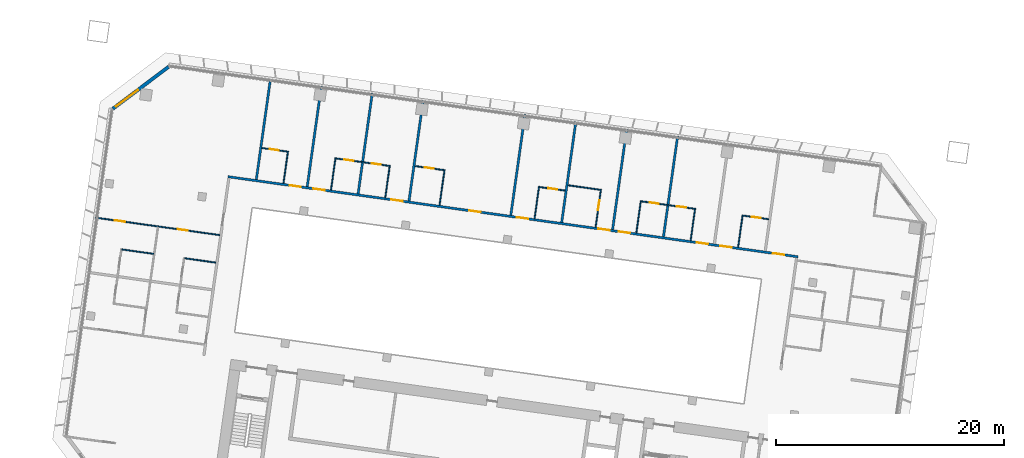
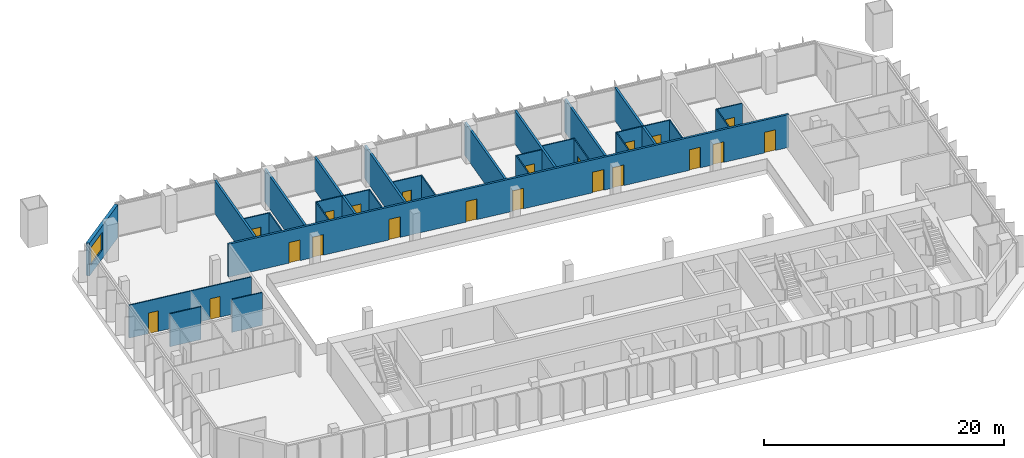
# One storey, part 16 of 24: 29 walls, 21 doors, 1 window, 22 openings.
"""IFC4 building model written with IfcOpenShell, lengths in metres."""

from ifc_helpers import new_model, si_unit, direction, frame, frame_2d, origin, place, context, subcontext, project, spatial, rectangle, extrude, material, layer, layer_set, type_object, element, fill, save


model = new_model("IFC4")

# Units and contexts
model_context = context("Model", 3, precision=1e-05, world=origin(), true_north=direction((0.0, 1.0)))
body_context = subcontext(model_context, "Body", "Model", "MODEL_VIEW")
ifc_project = project(units=[si_unit("LENGTHUNIT", "METRE"), si_unit("AREAUNIT", "SQUARE_METRE"), si_unit("VOLUMEUNIT", "CUBIC_METRE"), si_unit("PLANEANGLEUNIT", "RADIAN"), si_unit("MASSUNIT", "GRAM", prefix="KILO")], contexts=[model_context])

# Site, building, storey
site_placement = place(None, origin())
site = spatial("IfcSite", under=ifc_project, at=site_placement, CompositionType="ELEMENT")
building_placement = place(site_placement, origin())
building = spatial("IfcBuilding", under=site, at=building_placement, Name="Mirante Cascada Hotel Towers", CompositionType="ELEMENT")
storey_placement = place(building_placement, frame((0.0, 0.0, 43.3)))
storey = spatial("IfcBuildingStorey", under=building, at=storey_placement, Name="L07", CompositionType="ELEMENT", Elevation=43.3)

# Wall, openings, doors
ifc_material_1 = material(Name="Fire-rated plasterboard on metal studs")
ifc_layer_1 = layer(ifc_material_1, 0.2)
ifc_layer_set_1 = layer_set([ifc_layer_1], Name="Compartment wall 200 EI 120")
wall_type_1 = type_object("IfcWallType", Name="Compartment wall 200 EI 120", PredefinedType="PARTITIONING", material=ifc_layer_set_1)
wall_1_placement = place(storey_placement, frame((-39.1051, 9.3779, 0.0), z_axis=(0.0, 0.0, 1.0), x_axis=(-0.9902681, 0.1391727, 0.0)))
wall_1 = element("IfcWall", 1, at=wall_1_placement, inside=storey, type_object=wall_type_1, Name="Wall 1-L07-18", PredefinedType="PARTITIONING", context=body_context, shape_type="SweptSolid", body=[
    extrude(rectangle(XDim=50.4, YDim=0.2, at=frame_2d((25.2, 0.0))), origin(), (0.0, 0.0, 1.0), 3.35),
])
opening_1_placement = place(wall_1_placement, frame((1.2, 0.0, 0.0)))
opening_1 = element("IfcOpeningElement", 2, at=opening_1_placement, cuts=wall_1, Name="Opening D1-L07-09", PredefinedType="OPENING", context=body_context, shape_type="SweptSolid", body=[
    extrude(rectangle(XDim=1.0, YDim=2.1, at=frame_2d((0.5, 1.05))), frame((0.0, 0.1, 0.0), z_axis=(0.0, -1.0, 0.0), x_axis=(1.0, 0.0, 0.0)), (0.0, 0.0, 1.0), 0.2),
])
opening_2_placement = place(wall_1_placement, frame((5.85, 0.0, 0.0)))
opening_2 = element("IfcOpeningElement", 3, at=opening_2_placement, cuts=wall_1, Name="Opening D1-L07-10", PredefinedType="OPENING", context=body_context, shape_type="SweptSolid", body=[
    extrude(rectangle(XDim=1.0, YDim=2.1, at=frame_2d((0.5, 1.05))), frame((0.0, 0.1, 0.0), z_axis=(0.0, -1.0, 0.0), x_axis=(1.0, 0.0, 0.0)), (0.0, 0.0, 1.0), 0.2),
])
opening_3_placement = place(wall_1_placement, frame((7.95, 0.0, 0.0)))
opening_3 = element("IfcOpeningElement", 4, at=opening_3_placement, cuts=wall_1, Name="Opening D1-L07-11", PredefinedType="OPENING", context=body_context, shape_type="SweptSolid", body=[
    extrude(rectangle(XDim=1.0, YDim=2.1, at=frame_2d((0.5, 1.05))), frame((0.0, 0.1, 0.0), z_axis=(0.0, -1.0, 0.0), x_axis=(1.0, 0.0, 0.0)), (0.0, 0.0, 1.0), 0.2),
])
opening_4_placement = place(wall_1_placement, frame((14.85, 0.0, 0.0)))
opening_4 = element("IfcOpeningElement", 5, at=opening_4_placement, cuts=wall_1, Name="Opening D1-L07-12", PredefinedType="OPENING", context=body_context, shape_type="SweptSolid", body=[
    extrude(rectangle(XDim=1.0, YDim=2.1, at=frame_2d((0.5, 1.05))), frame((0.0, 0.1, 0.0), z_axis=(0.0, -1.0, 0.0), x_axis=(1.0, 0.0, 0.0)), (0.0, 0.0, 1.0), 0.2),
])
opening_5_placement = place(wall_1_placement, frame((16.65, 0.0, 0.0)))
opening_5 = element("IfcOpeningElement", 6, at=opening_5_placement, cuts=wall_1, Name="Opening D1-L07-13", PredefinedType="OPENING", context=body_context, shape_type="SweptSolid", body=[
    extrude(rectangle(XDim=1.0, YDim=2.1, at=frame_2d((0.5, 1.05))), frame((0.0, 0.1, 0.0), z_axis=(0.0, -1.0, 0.0), x_axis=(1.0, 0.0, 0.0)), (0.0, 0.0, 1.0), 0.2),
])
opening_6_placement = place(wall_1_placement, frame((23.85, 0.0, 0.0)))
opening_6 = element("IfcOpeningElement", 7, at=opening_6_placement, cuts=wall_1, Name="Opening D1-L07-14", PredefinedType="OPENING", context=body_context, shape_type="SweptSolid", body=[
    extrude(rectangle(XDim=1.0, YDim=2.1, at=frame_2d((0.5, 1.05))), frame((0.0, 0.1, 0.0), z_axis=(0.0, -1.0, 0.0), x_axis=(1.0, 0.0, 0.0)), (0.0, 0.0, 1.0), 0.2),
])
opening_7_placement = place(wall_1_placement, frame((28.05, 0.0, 0.0)))
opening_7 = element("IfcOpeningElement", 8, at=opening_7_placement, cuts=wall_1, Name="Opening D1-L07-15", PredefinedType="OPENING", context=body_context, shape_type="SweptSolid", body=[
    extrude(rectangle(XDim=1.0, YDim=2.1, at=frame_2d((0.5, 1.05))), frame((0.0, 0.1, 0.0), z_axis=(0.0, -1.0, 0.0), x_axis=(1.0, 0.0, 0.0)), (0.0, 0.0, 1.0), 0.2),
])
opening_8_placement = place(wall_1_placement, frame((34.95, 0.0, 0.0)))
opening_8 = element("IfcOpeningElement", 9, at=opening_8_placement, cuts=wall_1, Name="Opening D1-L07-16", PredefinedType="OPENING", context=body_context, shape_type="SweptSolid", body=[
    extrude(rectangle(XDim=1.0, YDim=2.1, at=frame_2d((0.5, 1.05))), frame((0.0, 0.1, 0.0), z_axis=(0.0, -1.0, 0.0), x_axis=(1.0, 0.0, 0.0)), (0.0, 0.0, 1.0), 0.2),
])
opening_9_placement = place(wall_1_placement, frame((41.85, 0.0, 0.0)))
opening_9 = element("IfcOpeningElement", 10, at=opening_9_placement, cuts=wall_1, Name="Opening D1-L07-17", PredefinedType="OPENING", context=body_context, shape_type="SweptSolid", body=[
    extrude(rectangle(XDim=1.0, YDim=2.1, at=frame_2d((0.5, 1.05))), frame((0.0, 0.1, 0.0), z_axis=(0.0, -1.0, 0.0), x_axis=(1.0, 0.0, 0.0)), (0.0, 0.0, 1.0), 0.2),
])
opening_10_placement = place(wall_1_placement, frame((43.95, 0.0, 0.0)))
opening_10 = element("IfcOpeningElement", 11, at=opening_10_placement, cuts=wall_1, Name="Opening D1-L07-18", PredefinedType="OPENING", context=body_context, shape_type="SweptSolid", body=[
    extrude(rectangle(XDim=1.0, YDim=2.1, at=frame_2d((0.5, 1.05))), frame((0.0, 0.1, 0.0), z_axis=(0.0, -1.0, 0.0), x_axis=(1.0, 0.0, 0.0)), (0.0, 0.0, 1.0), 0.2),
])
ifc_material_2 = material(Name="Fire-rated timber door leaf", Category="wood")
door_type_1 = type_object("IfcDoorType", Name="Entrance door DG1 1000x2100 EI 60", OperationType="SINGLE_SWING_LEFT", PredefinedType="DOOR", material=ifc_material_2)
door_1_placement = place(opening_1_placement, frame((1.0, 0.0, 0.0), z_axis=(0.0, 0.0, 1.0), x_axis=(-1.0, 0.0, 0.0)))
door_1 = element("IfcDoor", 12, at=door_1_placement, inside=storey, type_object=door_type_1, Name="Door D1-L07-09", OperationType="SINGLE_SWING_RIGHT", OverallHeight=2.1, OverallWidth=1.0, PredefinedType="DOOR", context=body_context, shape_type="SweptSolid", body=[
    extrude(rectangle(XDim=1.0, YDim=2.1, at=frame_2d((0.5, 1.05))), frame((0.0, 0.025, 0.0), z_axis=(0.0, -1.0, 0.0), x_axis=(1.0, 0.0, 0.0)), (0.0, 0.0, 1.0), 0.05),
])
fill(opening_1, door_1)
door_2_placement = place(opening_2_placement, frame((1.0, 0.0, 0.0), z_axis=(0.0, 0.0, 1.0), x_axis=(-1.0, 0.0, 0.0)))
door_2 = element("IfcDoor", 13, at=door_2_placement, inside=storey, type_object=door_type_1, Name="Door D1-L07-10", OperationType="SINGLE_SWING_RIGHT", OverallHeight=2.1, OverallWidth=1.0, PredefinedType="DOOR", context=body_context, shape_type="SweptSolid", body=[
    extrude(rectangle(XDim=1.0, YDim=2.1, at=frame_2d((0.5, 1.05))), frame((0.0, 0.025, 0.0), z_axis=(0.0, -1.0, 0.0), x_axis=(1.0, 0.0, 0.0)), (0.0, 0.0, 1.0), 0.05),
])
fill(opening_2, door_2)
door_3_placement = place(opening_3_placement, frame((1.0, 0.0, 0.0), z_axis=(0.0, 0.0, 1.0), x_axis=(-1.0, 0.0, 0.0)))
door_3 = element("IfcDoor", 14, at=door_3_placement, inside=storey, type_object=door_type_1, Name="Door D1-L07-11", OperationType="SINGLE_SWING_RIGHT", OverallHeight=2.1, OverallWidth=1.0, PredefinedType="DOOR", context=body_context, shape_type="SweptSolid", body=[
    extrude(rectangle(XDim=1.0, YDim=2.1, at=frame_2d((0.5, 1.05))), frame((0.0, 0.025, 0.0), z_axis=(0.0, -1.0, 0.0), x_axis=(1.0, 0.0, 0.0)), (0.0, 0.0, 1.0), 0.05),
])
fill(opening_3, door_3)
door_4_placement = place(opening_4_placement, frame((1.0, 0.0, 0.0), z_axis=(0.0, 0.0, 1.0), x_axis=(-1.0, 0.0, 0.0)))
door_4 = element("IfcDoor", 15, at=door_4_placement, inside=storey, type_object=door_type_1, Name="Door D1-L07-12", OperationType="SINGLE_SWING_RIGHT", OverallHeight=2.1, OverallWidth=1.0, PredefinedType="DOOR", context=body_context, shape_type="SweptSolid", body=[
    extrude(rectangle(XDim=1.0, YDim=2.1, at=frame_2d((0.5, 1.05))), frame((0.0, 0.025, 0.0), z_axis=(0.0, -1.0, 0.0), x_axis=(1.0, 0.0, 0.0)), (0.0, 0.0, 1.0), 0.05),
])
fill(opening_4, door_4)
door_5_placement = place(opening_5_placement, frame((1.0, 0.0, 0.0), z_axis=(0.0, 0.0, 1.0), x_axis=(-1.0, 0.0, 0.0)))
door_5 = element("IfcDoor", 16, at=door_5_placement, inside=storey, type_object=door_type_1, Name="Door D1-L07-13", OperationType="SINGLE_SWING_RIGHT", OverallHeight=2.1, OverallWidth=1.0, PredefinedType="DOOR", context=body_context, shape_type="SweptSolid", body=[
    extrude(rectangle(XDim=1.0, YDim=2.1, at=frame_2d((0.5, 1.05))), frame((0.0, 0.025, 0.0), z_axis=(0.0, -1.0, 0.0), x_axis=(1.0, 0.0, 0.0)), (0.0, 0.0, 1.0), 0.05),
])
fill(opening_5, door_5)
door_6_placement = place(opening_6_placement, frame((1.0, 0.0, 0.0), z_axis=(0.0, 0.0, 1.0), x_axis=(-1.0, 0.0, 0.0)))
door_6 = element("IfcDoor", 17, at=door_6_placement, inside=storey, type_object=door_type_1, Name="Door D1-L07-14", OperationType="SINGLE_SWING_RIGHT", OverallHeight=2.1, OverallWidth=1.0, PredefinedType="DOOR", context=body_context, shape_type="SweptSolid", body=[
    extrude(rectangle(XDim=1.0, YDim=2.1, at=frame_2d((0.5, 1.05))), frame((0.0, 0.025, 0.0), z_axis=(0.0, -1.0, 0.0), x_axis=(1.0, 0.0, 0.0)), (0.0, 0.0, 1.0), 0.05),
])
fill(opening_6, door_6)
door_7_placement = place(opening_7_placement, frame((1.0, 0.0, 0.0), z_axis=(0.0, 0.0, 1.0), x_axis=(-1.0, 0.0, 0.0)))
door_7 = element("IfcDoor", 18, at=door_7_placement, inside=storey, type_object=door_type_1, Name="Door D1-L07-15", OperationType="SINGLE_SWING_RIGHT", OverallHeight=2.1, OverallWidth=1.0, PredefinedType="DOOR", context=body_context, shape_type="SweptSolid", body=[
    extrude(rectangle(XDim=1.0, YDim=2.1, at=frame_2d((0.5, 1.05))), frame((0.0, 0.025, 0.0), z_axis=(0.0, -1.0, 0.0), x_axis=(1.0, 0.0, 0.0)), (0.0, 0.0, 1.0), 0.05),
])
fill(opening_7, door_7)
door_8_placement = place(opening_8_placement, frame((1.0, 0.0, 0.0), z_axis=(0.0, 0.0, 1.0), x_axis=(-1.0, 0.0, 0.0)))
door_8 = element("IfcDoor", 19, at=door_8_placement, inside=storey, type_object=door_type_1, Name="Door D1-L07-16", OperationType="SINGLE_SWING_RIGHT", OverallHeight=2.1, OverallWidth=1.0, PredefinedType="DOOR", context=body_context, shape_type="SweptSolid", body=[
    extrude(rectangle(XDim=1.0, YDim=2.1, at=frame_2d((0.5, 1.05))), frame((0.0, 0.025, 0.0), z_axis=(0.0, -1.0, 0.0), x_axis=(1.0, 0.0, 0.0)), (0.0, 0.0, 1.0), 0.05),
])
fill(opening_8, door_8)
door_9_placement = place(opening_9_placement, frame((1.0, 0.0, 0.0), z_axis=(0.0, 0.0, 1.0), x_axis=(-1.0, 0.0, 0.0)))
door_9 = element("IfcDoor", 20, at=door_9_placement, inside=storey, type_object=door_type_1, Name="Door D1-L07-17", OperationType="SINGLE_SWING_RIGHT", OverallHeight=2.1, OverallWidth=1.0, PredefinedType="DOOR", context=body_context, shape_type="SweptSolid", body=[
    extrude(rectangle(XDim=1.0, YDim=2.1, at=frame_2d((0.5, 1.05))), frame((0.0, 0.025, 0.0), z_axis=(0.0, -1.0, 0.0), x_axis=(1.0, 0.0, 0.0)), (0.0, 0.0, 1.0), 0.05),
])
fill(opening_9, door_9)
door_10_placement = place(opening_10_placement, frame((1.0, 0.0, 0.0), z_axis=(0.0, 0.0, 1.0), x_axis=(-1.0, 0.0, 0.0)))
door_10 = element("IfcDoor", 21, at=door_10_placement, inside=storey, type_object=door_type_1, Name="Door D1-L07-18", OperationType="SINGLE_SWING_RIGHT", OverallHeight=2.1, OverallWidth=1.0, PredefinedType="DOOR", context=body_context, shape_type="SweptSolid", body=[
    extrude(rectangle(XDim=1.0, YDim=2.1, at=frame_2d((0.5, 1.05))), frame((0.0, 0.025, 0.0), z_axis=(0.0, -1.0, 0.0), x_axis=(1.0, 0.0, 0.0)), (0.0, 0.0, 1.0), 0.05),
])
fill(opening_10, door_10)

# Walls
for number, where, z_axis, x_axis, name in (
    (22, (-49.6367, 19.9465, 0.0), (0.0, 0.0, 1.0), (-0.1391794, -0.9902672, 0.0), "Wall 1-L07-39"),
    (23, (-54.0929, 20.5728, 0.0), (0.0, 0.0, 1.0), (-0.1391794, -0.9902672, 0.0), "Wall 1-L07-41"),
):
    element("IfcWall", number, at=place(storey_placement, frame(where, z_axis=z_axis, x_axis=x_axis)), inside=storey, type_object=wall_type_1, Name=name, PredefinedType="PARTITIONING", context=body_context, shape_type="SweptSolid", body=[
        extrude(rectangle(XDim=8.9, YDim=0.2, at=frame_2d((4.45, 0.0))), origin(), (0.0, 0.0, 1.0), 3.35),
    ])
wall_2_placement = place(storey_placement, frame((-58.5492, 21.199, 0.0), z_axis=(0.0, 0.0, 1.0), x_axis=(-0.13917, -0.9902685, 0.0)))
element("IfcWall", 24, at=wall_2_placement, inside=storey, type_object=wall_type_1, Name="Wall 1-L07-43", PredefinedType="PARTITIONING", context=body_context, shape_type="SweptSolid", body=[
    extrude(rectangle(XDim=8.8999, YDim=0.2, at=frame_2d((4.45, 0.0))), origin(), (0.0, 0.0, 1.0), 3.35),
])
for number, where, z_axis, x_axis, name in (
    (25, (-63.0054, 21.8253, 0.0), (0.0, 0.0, 1.0), (-0.1391684, -0.9902687, 0.0), "Wall 1-L07-45"),
    (26, (-71.9178, 23.0779, 0.0), (0.0, 0.0, 1.0), (-0.1391684, -0.9902687, 0.0), "Wall 1-L07-47"),
    (27, (-76.374, 23.7042, 0.0), (0.0, 0.0, 1.0), (-0.1391684, -0.9902687, 0.0), "Wall 1-L07-49"),
):
    element("IfcWall", number, at=place(storey_placement, frame(where, z_axis=z_axis, x_axis=x_axis)), inside=storey, type_object=wall_type_1, Name=name, PredefinedType="PARTITIONING", context=body_context, shape_type="SweptSolid", body=[
        extrude(rectangle(XDim=8.9, YDim=0.2, at=frame_2d((4.45, 0.0))), origin(), (0.0, 0.0, 1.0), 3.35),
    ])
wall_3_placement = place(storey_placement, frame((-80.8302, 24.3304, 0.0), z_axis=(0.0, 0.0, 1.0), x_axis=(-0.13917, -0.9902685, 0.0)))
element("IfcWall", 28, at=wall_3_placement, inside=storey, type_object=wall_type_1, Name="Wall 1-L07-51", PredefinedType="PARTITIONING", context=body_context, shape_type="SweptSolid", body=[
    extrude(rectangle(XDim=8.8999, YDim=0.2, at=frame_2d((4.45, 0.0))), origin(), (0.0, 0.0, 1.0), 3.35),
])
wall_4_placement = place(storey_placement, frame((-85.2864, 24.9567, 0.0), z_axis=(0.0, 0.0, 1.0), x_axis=(-0.1391684, -0.9902687, 0.0)))
element("IfcWall", 29, at=wall_4_placement, inside=storey, type_object=wall_type_1, Name="Wall 1-L07-53", PredefinedType="PARTITIONING", context=body_context, shape_type="SweptSolid", body=[
    extrude(rectangle(XDim=8.9, YDim=0.2, at=frame_2d((4.45, 0.0))), origin(), (0.0, 0.0, 1.0), 3.35),
])
ifc_material_3 = material(Name="Plasterboard on metal studs")
ifc_layer_2 = layer(ifc_material_3, 0.1)
ifc_layer_set_2 = layer_set([ifc_layer_2], Name="Partition 100")
wall_type_2 = type_object("IfcWallType", Name="Partition 100", PredefinedType="PARTITIONING", material=ifc_layer_set_2)
wall_5_placement = place(storey_placement, frame((-92.7956, 9.2489, 0.0), z_axis=(0.0, 0.0, 1.0), x_axis=(0.9902698, -0.1391607, 0.0)))
element("IfcWall", 30, at=wall_5_placement, inside=storey, type_object=wall_type_2, Name="Wall 1-L07-11", PredefinedType="PARTITIONING", context=body_context, shape_type="SweptSolid", body=[
    extrude(rectangle(XDim=2.7501, YDim=0.1, at=frame_2d((1.3751, 0.0))), origin(), (0.0, 0.0, 1.0), 3.35),
])
wall_6_placement = place(storey_placement, frame((-95.5188, 9.6317, 0.0), z_axis=(0.0, 0.0, 1.0), x_axis=(-0.9902726, 0.139141, 0.0)))
element("IfcWall", 31, at=wall_6_placement, inside=storey, type_object=wall_type_2, Name="Wall 1-L07-12", PredefinedType="PARTITIONING", context=body_context, shape_type="SweptSolid", body=[
    extrude(rectangle(XDim=2.8, YDim=0.1, at=frame_2d((1.4, 0.0))), origin(), (0.0, 0.0, 1.0), 3.35),
])

# Wall, openings, doors
wall_7_placement = place(storey_placement, frame((-89.7337, 11.2758, 0.0), z_axis=(0.0, 0.0, 1.0), x_axis=(-0.990268, 0.1391733, 0.0)))
wall_7 = element("IfcWall", 32, at=wall_7_placement, inside=storey, type_object=wall_type_2, Name="Wall 1-L07-14", PredefinedType="PARTITIONING", context=body_context, shape_type="SweptSolid", body=[
    extrude(rectangle(XDim=11.0, YDim=0.1, at=frame_2d((5.5, 0.0))), origin(), (0.0, 0.0, 1.0), 3.35),
])
opening_11_placement = place(wall_7_placement, frame((2.825, 0.0, 0.0)))
opening_11 = element("IfcOpeningElement", 33, at=opening_11_placement, cuts=wall_7, Name="Opening D1-L07-05", PredefinedType="OPENING", context=body_context, shape_type="SweptSolid", body=[
    extrude(rectangle(XDim=0.9, YDim=2.1, at=frame_2d((0.45, 1.05))), frame((0.0, 0.05, 0.0), z_axis=(0.0, -1.0, 0.0), x_axis=(1.0, 0.0, 0.0)), (0.0, 0.0, 1.0), 0.1),
])
opening_12_placement = place(wall_7_placement, frame((8.375, 0.0, 0.0)))
opening_12 = element("IfcOpeningElement", 34, at=opening_12_placement, cuts=wall_7, Name="Opening D1-L07-06", PredefinedType="OPENING", context=body_context, shape_type="SweptSolid", body=[
    extrude(rectangle(XDim=0.9, YDim=2.1, at=frame_2d((0.45, 1.05))), frame((0.0, 0.05, 0.0), z_axis=(0.0, -1.0, 0.0), x_axis=(1.0, 0.0, 0.0)), (0.0, 0.0, 1.0), 0.1),
])
ifc_material_4 = material(Name="Timber door leaf", Category="wood")
door_type_2 = type_object("IfcDoorType", Name="Room door DG3 900x2100", OperationType="SINGLE_SWING_LEFT", PredefinedType="DOOR", material=ifc_material_4)
door_11_placement = place(opening_11_placement, frame((0.9, 0.0, 0.0), z_axis=(0.0, 0.0, 1.0), x_axis=(-1.0, 0.0, 0.0)))
door_11 = element("IfcDoor", 35, at=door_11_placement, inside=storey, type_object=door_type_2, Name="Door D1-L07-05", OperationType="SINGLE_SWING_RIGHT", OverallHeight=2.1, OverallWidth=0.9, PredefinedType="DOOR", context=body_context, shape_type="SweptSolid", body=[
    extrude(rectangle(XDim=0.9, YDim=2.1, at=frame_2d((0.45, 1.05))), frame((0.0, 0.025, 0.0), z_axis=(0.0, -1.0, 0.0), x_axis=(1.0, 0.0, 0.0)), (0.0, 0.0, 1.0), 0.05),
])
fill(opening_11, door_11)
door_12_placement = place(opening_12_placement, frame((0.9, 0.0, 0.0), z_axis=(0.0, 0.0, 1.0), x_axis=(-1.0, 0.0, 0.0)))
door_12 = element("IfcDoor", 36, at=door_12_placement, inside=storey, type_object=door_type_2, Name="Door D1-L07-06", OperationType="SINGLE_SWING_RIGHT", OverallHeight=2.1, OverallWidth=0.9, PredefinedType="DOOR", context=body_context, shape_type="SweptSolid", body=[
    extrude(rectangle(XDim=0.9, YDim=2.1, at=frame_2d((0.45, 1.05))), frame((0.0, 0.025, 0.0), z_axis=(0.0, -1.0, 0.0), x_axis=(1.0, 0.0, 0.0)), (0.0, 0.0, 1.0), 0.05),
])
fill(opening_12, door_12)

# Wall, opening, door
wall_8_placement = place(storey_placement, frame((-43.9004, 12.9804, 0.0), z_axis=(0.0, 0.0, 1.0), x_axis=(0.9902643, -0.1391997, 0.0)))
wall_8 = element("IfcWall", 37, at=wall_8_placement, inside=storey, type_object=wall_type_2, Name="Wall 1-L07-19", PredefinedType="PARTITIONING", context=body_context, shape_type="SweptSolid", body=[
    extrude(rectangle(XDim=2.25, YDim=0.1, at=frame_2d((1.125, 0.0))), origin(), (0.0, 0.0, 1.0), 3.35),
])
opening_13_placement = place(wall_8_placement, frame((0.75, 0.0, 0.0)))
opening_13 = element("IfcOpeningElement", 38, at=opening_13_placement, cuts=wall_8, Name="Opening D1-L07-19", PredefinedType="OPENING", context=body_context, shape_type="SweptSolid", body=[
    extrude(rectangle(XDim=0.8, YDim=2.1, at=frame_2d((0.4, 1.05))), frame((0.0, 0.05, 0.0), z_axis=(0.0, -1.0, 0.0), x_axis=(1.0, 0.0, 0.0)), (0.0, 0.0, 1.0), 0.1),
])
ifc_material_5 = material(Name="Timber door leaf", Category="wood")
door_type_3 = type_object("IfcDoorType", Name="Bathroom door DG4 800x2100", OperationType="SINGLE_SWING_LEFT", PredefinedType="DOOR", material=ifc_material_5)
door_13_placement = place(opening_13_placement, origin())
door_13 = element("IfcDoor", 39, at=door_13_placement, inside=storey, type_object=door_type_3, Name="Door D1-L07-19", OperationType="SINGLE_SWING_LEFT", OverallHeight=2.1, OverallWidth=0.8, PredefinedType="DOOR", context=body_context, shape_type="SweptSolid", body=[
    extrude(rectangle(XDim=0.8, YDim=2.1, at=frame_2d((0.4, 1.05))), frame((0.0, 0.025, 0.0), z_axis=(0.0, -1.0, 0.0), x_axis=(1.0, 0.0, 0.0)), (0.0, 0.0, 1.0), 0.05),
])
fill(opening_13, door_13)

# Wall, openings, doors
wall_9_placement = place(storey_placement, frame((-48.0595, 13.5649, 0.0), z_axis=(0.0, 0.0, 1.0), x_axis=(-0.9902698, 0.139161, 0.0)))
wall_9 = element("IfcWall", 40, at=wall_9_placement, inside=storey, type_object=wall_type_2, Name="Wall 1-L07-20", PredefinedType="PARTITIONING", context=body_context, shape_type="SweptSolid", body=[
    extrude(rectangle(XDim=4.9001, YDim=0.1, at=frame_2d((2.45, 0.0))), origin(), (0.0, 0.0, 1.0), 3.35),
])
opening_14_placement = place(wall_9_placement, frame((0.85, 0.0, 0.0)))
opening_14 = element("IfcOpeningElement", 41, at=opening_14_placement, cuts=wall_9, Name="Opening D1-L07-20", PredefinedType="OPENING", context=body_context, shape_type="SweptSolid", body=[
    extrude(rectangle(XDim=0.8, YDim=2.1, at=frame_2d((0.4, 1.05))), frame((0.0, 0.05, 0.0), z_axis=(0.0, -1.0, 0.0), x_axis=(1.0, 0.0, 0.0)), (0.0, 0.0, 1.0), 0.1),
])
opening_15_placement = place(wall_9_placement, frame((3.25, 0.0, 0.0)))
opening_15 = element("IfcOpeningElement", 42, at=opening_15_placement, cuts=wall_9, Name="Opening D1-L07-21", PredefinedType="OPENING", context=body_context, shape_type="SweptSolid", body=[
    extrude(rectangle(XDim=0.8, YDim=2.1, at=frame_2d((0.4, 1.05))), frame((0.0, 0.05, 0.0), z_axis=(0.0, -1.0, 0.0), x_axis=(1.0, 0.0, 0.0)), (0.0, 0.0, 1.0), 0.1),
])
door_14_placement = place(opening_14_placement, frame((0.8, 0.0, 0.0), z_axis=(0.0, 0.0, 1.0), x_axis=(-1.0, 0.0, 0.0)))
door_14 = element("IfcDoor", 43, at=door_14_placement, inside=storey, type_object=door_type_3, Name="Door D1-L07-20", OperationType="SINGLE_SWING_RIGHT", OverallHeight=2.1, OverallWidth=0.8, PredefinedType="DOOR", context=body_context, shape_type="SweptSolid", body=[
    extrude(rectangle(XDim=0.8, YDim=2.1, at=frame_2d((0.4, 1.05))), frame((0.0, 0.025, 0.0), z_axis=(0.0, -1.0, 0.0), x_axis=(1.0, 0.0, 0.0)), (0.0, 0.0, 1.0), 0.05),
])
fill(opening_14, door_14)
door_15_placement = place(opening_15_placement, frame((0.8, 0.0, 0.0), z_axis=(0.0, 0.0, 1.0), x_axis=(-1.0, 0.0, 0.0)))
door_15 = element("IfcDoor", 44, at=door_15_placement, inside=storey, type_object=door_type_3, Name="Door D1-L07-21", OperationType="SINGLE_SWING_RIGHT", OverallHeight=2.1, OverallWidth=0.8, PredefinedType="DOOR", context=body_context, shape_type="SweptSolid", body=[
    extrude(rectangle(XDim=0.8, YDim=2.1, at=frame_2d((0.4, 1.05))), frame((0.0, 0.025, 0.0), z_axis=(0.0, -1.0, 0.0), x_axis=(1.0, 0.0, 0.0)), (0.0, 0.0, 1.0), 0.05),
])
fill(opening_15, door_15)

# Wall, opening, door
wall_10_placement = place(storey_placement, frame((-61.7252, 15.4855, 0.0), z_axis=(0.0, 0.0, 1.0), x_axis=(0.9902643, -0.1391997, 0.0)))
wall_10 = element("IfcWall", 45, at=wall_10_placement, inside=storey, type_object=wall_type_2, Name="Wall 1-L07-21", PredefinedType="PARTITIONING", context=body_context, shape_type="SweptSolid", body=[
    extrude(rectangle(XDim=2.25, YDim=0.1, at=frame_2d((1.125, 0.0))), origin(), (0.0, 0.0, 1.0), 3.35),
])
opening_16_placement = place(wall_10_placement, frame((0.75, 0.0, 0.0)))
opening_16 = element("IfcOpeningElement", 46, at=opening_16_placement, cuts=wall_10, Name="Opening D1-L07-22", PredefinedType="OPENING", context=body_context, shape_type="SweptSolid", body=[
    extrude(rectangle(XDim=0.8, YDim=2.1, at=frame_2d((0.4, 1.05))), frame((0.0, 0.05, 0.0), z_axis=(0.0, -1.0, 0.0), x_axis=(1.0, 0.0, 0.0)), (0.0, 0.0, 1.0), 0.1),
])
door_16_placement = place(opening_16_placement, origin())
door_16 = element("IfcDoor", 47, at=door_16_placement, inside=storey, type_object=door_type_3, Name="Door D1-L07-22", OperationType="SINGLE_SWING_LEFT", OverallHeight=2.1, OverallWidth=0.8, PredefinedType="DOOR", context=body_context, shape_type="SweptSolid", body=[
    extrude(rectangle(XDim=0.8, YDim=2.1, at=frame_2d((0.4, 1.05))), frame((0.0, 0.025, 0.0), z_axis=(0.0, -1.0, 0.0), x_axis=(1.0, 0.0, 0.0)), (0.0, 0.0, 1.0), 0.05),
])
fill(opening_16, door_16)

# Wall, openings, doors
wall_11_placement = place(storey_placement, frame((-74.7968, 17.3226, 0.0), z_axis=(0.0, 0.0, 1.0), x_axis=(-0.9902694, 0.1391638, 0.0)))
wall_11 = element("IfcWall", 48, at=wall_11_placement, inside=storey, type_object=wall_type_2, Name="Wall 1-L07-22", PredefinedType="PARTITIONING", context=body_context, shape_type="SweptSolid", body=[
    extrude(rectangle(XDim=4.9, YDim=0.1, at=frame_2d((2.45, 0.0))), origin(), (0.0, 0.0, 1.0), 3.35),
])
opening_17_placement = place(wall_11_placement, frame((0.85, 0.0, 0.0)))
opening_17 = element("IfcOpeningElement", 49, at=opening_17_placement, cuts=wall_11, Name="Opening D1-L07-23", PredefinedType="OPENING", context=body_context, shape_type="SweptSolid", body=[
    extrude(rectangle(XDim=0.8, YDim=2.1, at=frame_2d((0.4, 1.05))), frame((0.0, 0.05, 0.0), z_axis=(0.0, -1.0, 0.0), x_axis=(1.0, 0.0, 0.0)), (0.0, 0.0, 1.0), 0.1),
])
opening_18_placement = place(wall_11_placement, frame((3.25, 0.0, 0.0)))
opening_18 = element("IfcOpeningElement", 50, at=opening_18_placement, cuts=wall_11, Name="Opening D1-L07-24", PredefinedType="OPENING", context=body_context, shape_type="SweptSolid", body=[
    extrude(rectangle(XDim=0.8, YDim=2.1, at=frame_2d((0.4, 1.05))), frame((0.0, 0.05, 0.0), z_axis=(0.0, -1.0, 0.0), x_axis=(1.0, 0.0, 0.0)), (0.0, 0.0, 1.0), 0.1),
])
door_17_placement = place(opening_17_placement, frame((0.8, 0.0, 0.0), z_axis=(0.0, 0.0, 1.0), x_axis=(-1.0, 0.0, 0.0)))
door_17 = element("IfcDoor", 51, at=door_17_placement, inside=storey, type_object=door_type_3, Name="Door D1-L07-23", OperationType="SINGLE_SWING_RIGHT", OverallHeight=2.1, OverallWidth=0.8, PredefinedType="DOOR", context=body_context, shape_type="SweptSolid", body=[
    extrude(rectangle(XDim=0.8, YDim=2.1, at=frame_2d((0.4, 1.05))), frame((0.0, 0.025, 0.0), z_axis=(0.0, -1.0, 0.0), x_axis=(1.0, 0.0, 0.0)), (0.0, 0.0, 1.0), 0.05),
])
fill(opening_17, door_17)
door_18_placement = place(opening_18_placement, frame((0.8, 0.0, 0.0), z_axis=(0.0, 0.0, 1.0), x_axis=(-1.0, 0.0, 0.0)))
door_18 = element("IfcDoor", 52, at=door_18_placement, inside=storey, type_object=door_type_3, Name="Door D1-L07-24", OperationType="SINGLE_SWING_RIGHT", OverallHeight=2.1, OverallWidth=0.8, PredefinedType="DOOR", context=body_context, shape_type="SweptSolid", body=[
    extrude(rectangle(XDim=0.8, YDim=2.1, at=frame_2d((0.4, 1.05))), frame((0.0, 0.025, 0.0), z_axis=(0.0, -1.0, 0.0), x_axis=(1.0, 0.0, 0.0)), (0.0, 0.0, 1.0), 0.05),
])
fill(opening_18, door_18)

# Wall, opening, door
wall_12_placement = place(storey_placement, frame((-86.0363, 18.9022, 0.0), z_axis=(0.0, 0.0, 1.0), x_axis=(0.9902643, -0.1391997, 0.0)))
wall_12 = element("IfcWall", 53, at=wall_12_placement, inside=storey, type_object=wall_type_2, Name="Wall 1-L07-23", PredefinedType="PARTITIONING", context=body_context, shape_type="SweptSolid", body=[
    extrude(rectangle(XDim=2.25, YDim=0.1, at=frame_2d((1.125, 0.0))), origin(), (0.0, 0.0, 1.0), 3.35),
])
opening_19_placement = place(wall_12_placement, frame((0.7, 0.0, 0.0)))
opening_19 = element("IfcOpeningElement", 54, at=opening_19_placement, cuts=wall_12, Name="Opening D1-L07-25", PredefinedType="OPENING", context=body_context, shape_type="SweptSolid", body=[
    extrude(rectangle(XDim=0.8, YDim=2.1, at=frame_2d((0.4, 1.05))), frame((0.0, 0.05, 0.0), z_axis=(0.0, -1.0, 0.0), x_axis=(1.0, 0.0, 0.0)), (0.0, 0.0, 1.0), 0.1),
])
door_19_placement = place(opening_19_placement, origin())
door_19 = element("IfcDoor", 55, at=door_19_placement, inside=storey, type_object=door_type_3, Name="Door D1-L07-25", OperationType="SINGLE_SWING_LEFT", OverallHeight=2.1, OverallWidth=0.8, PredefinedType="DOOR", context=body_context, shape_type="SweptSolid", body=[
    extrude(rectangle(XDim=0.8, YDim=2.1, at=frame_2d((0.4, 1.05))), frame((0.0, 0.025, 0.0), z_axis=(0.0, -1.0, 0.0), x_axis=(1.0, 0.0, 0.0)), (0.0, 0.0, 1.0), 0.05),
])
fill(opening_19, door_19)

wall_13_placement = place(storey_placement, frame((-70.1008, 16.9655, 0.0), z_axis=(0.0, 0.0, 1.0), x_axis=(-0.9902677, 0.1391755, 0.0)))
wall_13 = element("IfcWall", 56, at=wall_13_placement, inside=storey, type_object=wall_type_2, Name="Wall 1-L07-24", PredefinedType="PARTITIONING", context=body_context, shape_type="SweptSolid", body=[
    extrude(rectangle(XDim=2.55, YDim=0.1, at=frame_2d((1.275, 0.0))), origin(), (0.0, 0.0, 1.0), 3.35),
])
opening_20_placement = place(wall_13_placement, frame((0.9, 0.0, 0.0)))
opening_20 = element("IfcOpeningElement", 57, at=opening_20_placement, cuts=wall_13, Name="Opening D1-L07-26", PredefinedType="OPENING", context=body_context, shape_type="SweptSolid", body=[
    extrude(rectangle(XDim=0.8, YDim=2.1, at=frame_2d((0.4, 1.05))), frame((0.0, 0.05, 0.0), z_axis=(0.0, -1.0, 0.0), x_axis=(1.0, 0.0, 0.0)), (0.0, 0.0, 1.0), 0.1),
])
door_20_placement = place(opening_20_placement, frame((0.8, 0.0, 0.0), z_axis=(0.0, 0.0, 1.0), x_axis=(-1.0, 0.0, 0.0)))
door_20 = element("IfcDoor", 58, at=door_20_placement, inside=storey, type_object=door_type_3, Name="Door D1-L07-26", OperationType="SINGLE_SWING_RIGHT", OverallHeight=2.1, OverallWidth=0.8, PredefinedType="DOOR", context=body_context, shape_type="SweptSolid", body=[
    extrude(rectangle(XDim=0.8, YDim=2.1, at=frame_2d((0.4, 1.05))), frame((0.0, 0.025, 0.0), z_axis=(0.0, -1.0, 0.0), x_axis=(1.0, 0.0, 0.0)), (0.0, 0.0, 1.0), 0.05),
])
fill(opening_20, door_20)

# Walls
wall_14_placement = place(storey_placement, frame((-59.2295, 15.6396, 0.0), z_axis=(0.0, 0.0, 1.0), x_axis=(0.9902704, -0.1391564, 0.0)))
element("IfcWall", 59, at=wall_14_placement, inside=storey, type_object=wall_type_2, Name="Wall 1-L07-25", PredefinedType="PARTITIONING", context=body_context, shape_type="SweptSolid", body=[
    extrude(rectangle(XDim=2.85, YDim=0.1, at=frame_2d((1.425, 0.0))), origin(), (0.0, 0.0, 1.0), 3.35),
])
wall_15_placement = place(storey_placement, frame((-44.3396, 10.2146, 0.0), z_axis=(0.0, 0.0, 1.0), x_axis=(0.1391613, 0.9902697, 0.0)))
element("IfcWall", 60, at=wall_15_placement, inside=storey, type_object=wall_type_2, Name="Wall 1-L07-36", PredefinedType="PARTITIONING", context=body_context, shape_type="SweptSolid", body=[
    extrude(rectangle(XDim=2.8499, YDim=0.1, at=frame_2d((1.425, 0.0))), origin(), (0.0, 0.0, 1.0), 3.35),
])
wall_16_placement = place(storey_placement, frame((-48.4987, 10.7991, 0.0), z_axis=(0.0, 0.0, 1.0), x_axis=(0.1391657, 0.9902691, 0.0)))
element("IfcWall", 61, at=wall_16_placement, inside=storey, type_object=wall_type_2, Name="Wall 1-L07-38", PredefinedType="PARTITIONING", context=body_context, shape_type="SweptSolid", body=[
    extrude(rectangle(XDim=2.75, YDim=0.1, at=frame_2d((1.375, 0.0))), origin(), (0.0, 0.0, 1.0), 3.35),
])
wall_17_placement = place(storey_placement, frame((-53.252, 11.4671, 0.0), z_axis=(0.0, 0.0, 1.0), x_axis=(0.1391607, 0.9902698, 0.0)))
element("IfcWall", 62, at=wall_17_placement, inside=storey, type_object=wall_type_2, Name="Wall 1-L07-40", PredefinedType="PARTITIONING", context=body_context, shape_type="SweptSolid", body=[
    extrude(rectangle(XDim=2.7501, YDim=0.1, at=frame_2d((1.3751, 0.0))), origin(), (0.0, 0.0, 1.0), 3.35),
])

# Wall, opening, door
wall_18_placement = place(storey_placement, frame((-56.817, 11.9681, 0.0), z_axis=(0.0, 0.0, 1.0), x_axis=(0.1391643, 0.9902693, 0.0)))
wall_18 = element("IfcWall", 63, at=wall_18_placement, inside=storey, type_object=wall_type_2, Name="Wall 1-L07-42", PredefinedType="PARTITIONING", context=body_context, shape_type="SweptSolid", body=[
    extrude(rectangle(XDim=3.35, YDim=0.1, at=frame_2d((1.675, 0.0))), origin(), (0.0, 0.0, 1.0), 3.35),
])
opening_21_placement = place(wall_18_placement, frame((1.49, 0.0, 0.0)))
opening_21 = element("IfcOpeningElement", 64, at=opening_21_placement, cuts=wall_18, Name="Opening D1-L07-34", PredefinedType="OPENING", context=body_context, shape_type="SweptSolid", body=[
    extrude(rectangle(XDim=0.9, YDim=2.1, at=frame_2d((0.45, 1.05))), frame((0.0, 0.05, 0.0), z_axis=(0.0, -1.0, 0.0), x_axis=(1.0, 0.0, 0.0)), (0.0, 0.0, 1.0), 0.1),
])
door_21_placement = place(opening_21_placement, origin())
door_21 = element("IfcDoor", 65, at=door_21_placement, inside=storey, type_object=door_type_2, Name="Door D1-L07-34", OperationType="SINGLE_SWING_LEFT", OverallHeight=2.1, OverallWidth=0.9, PredefinedType="DOOR", context=body_context, shape_type="SweptSolid", body=[
    extrude(rectangle(XDim=0.9, YDim=2.1, at=frame_2d((0.45, 1.05))), frame((0.0, 0.025, 0.0), z_axis=(0.0, -1.0, 0.0), x_axis=(1.0, 0.0, 0.0)), (0.0, 0.0, 1.0), 0.05),
])
fill(opening_21, door_21)

# Walls
wall_19_placement = place(storey_placement, frame((-62.1644, 12.7197, 0.0), z_axis=(0.0, 0.0, 1.0), x_axis=(0.1391613, 0.9902697, 0.0)))
element("IfcWall", 66, at=wall_19_placement, inside=storey, type_object=wall_type_2, Name="Wall 1-L07-44", PredefinedType="PARTITIONING", context=body_context, shape_type="SweptSolid", body=[
    extrude(rectangle(XDim=2.8499, YDim=0.1, at=frame_2d((1.425, 0.0))), origin(), (0.0, 0.0, 1.0), 3.35),
])
wall_20_placement = place(storey_placement, frame((-70.4827, 13.8887, 0.0), z_axis=(0.0, 0.0, 1.0), x_axis=(0.1391721, 0.9902682, 0.0)))
element("IfcWall", 67, at=wall_20_placement, inside=storey, type_object=wall_type_2, Name="Wall 1-L07-46", PredefinedType="PARTITIONING", context=body_context, shape_type="SweptSolid", body=[
    extrude(rectangle(XDim=3.1501, YDim=0.1, at=frame_2d((1.575, 0.0))), origin(), (0.0, 0.0, 1.0), 3.35),
])
for number, where, z_axis, x_axis, name in (
    (68, (-75.236, 14.5568, 0.0), (0.0, 0.0, 1.0), (0.1391657, 0.9902691, 0.0), "Wall 1-L07-48"),
    (69, (-79.9893, 15.2248, 0.0), (0.0, 0.0, 1.0), (0.1392013, 0.9902641, 0.0), "Wall 1-L07-50"),
):
    element("IfcWall", number, at=place(storey_placement, frame(where, z_axis=z_axis, x_axis=x_axis)), inside=storey, type_object=wall_type_2, Name=name, PredefinedType="PARTITIONING", context=body_context, shape_type="SweptSolid", body=[
        extrude(rectangle(XDim=2.75, YDim=0.1, at=frame_2d((1.375, 0.0))), origin(), (0.0, 0.0, 1.0), 3.35),
    ])
wall_21_placement = place(storey_placement, frame((-84.1484, 15.8093, 0.0), z_axis=(0.0, 0.0, 1.0), x_axis=(0.1391909, 0.9902656, 0.0)))
element("IfcWall", 70, at=wall_21_placement, inside=storey, type_object=wall_type_2, Name="Wall 1-L07-52", PredefinedType="PARTITIONING", context=body_context, shape_type="SweptSolid", body=[
    extrude(rectangle(XDim=2.85, YDim=0.1, at=frame_2d((1.425, 0.0))), origin(), (0.0, 0.0, 1.0), 3.35),
])

# Wall, opening, window
ifc_material_6 = material(Name="Precast concrete C40/50", Category="concrete")
ifc_layer_3 = layer(ifc_material_6, 0.3)
ifc_layer_set_3 = layer_set([ifc_layer_3], Name="Precast concrete C40/50 cladding wall 300")
wall_type_3 = type_object("IfcWallType", Name="Precast concrete C40/50 cladding wall 300", PredefinedType="STANDARD", material=ifc_layer_set_3)
wall_22_placement = place(storey_placement, frame((-99.0919, 22.3343, 0.0), z_axis=(0.0, 0.0, 1.0), x_axis=(0.7986362, 0.6018141, 0.0)))
wall_22 = element("IfcWall", 71, at=wall_22_placement, inside=storey, type_object=wall_type_3, Name="Corner cladding wall T1 L07 outer front", PredefinedType="STANDARD", context=body_context, shape_type="SweptSolid", body=[
    extrude(rectangle(XDim=6.1157, YDim=0.3, at=frame_2d((3.0578, 0.0))), origin(), (0.0, 0.0, 1.0), 3.35),
])
opening_22_placement = place(wall_22_placement, frame((0.35, 0.0, 0.9)))
opening_22 = element("IfcOpeningElement", 72, at=opening_22_placement, cuts=wall_22, Name="Opening W1-07-06", PredefinedType="OPENING", context=body_context, shape_type="SweptSolid", body=[
    extrude(rectangle(XDim=2.4, YDim=1.8, at=frame_2d((1.2, 0.9))), frame((0.0, 0.15, 0.0), z_axis=(0.0, -1.0, 0.0), x_axis=(1.0, 0.0, 0.0)), (0.0, 0.0, 1.0), 0.3),
])
ifc_material_7 = material(Name="Aluminium frame with clear double glazing", Category="aluminium")
window_type = type_object("IfcWindowType", Name="Punched window 2400x1800", PartitioningType="DOUBLE_PANEL_VERTICAL", PredefinedType="WINDOW", material=ifc_material_7)
window_placement = place(opening_22_placement, origin())
window = element("IfcWindow", 73, at=window_placement, inside=storey, type_object=window_type, Name="Window W1-07-06", OverallHeight=1.8, OverallWidth=2.4, PartitioningType="SINGLE_PANEL", PredefinedType="WINDOW", context=body_context, shape_type="SweptSolid", body=[
    extrude(rectangle(XDim=2.4, YDim=1.8, at=frame_2d((1.2, 0.9))), frame((0.0, 0.03, 0.0), z_axis=(0.0, -1.0, 0.0), x_axis=(1.0, 0.0, 0.0)), (0.0, 0.0, 1.0), 0.06),
])
fill(opening_22, window)

save(model, "model.ifc")
